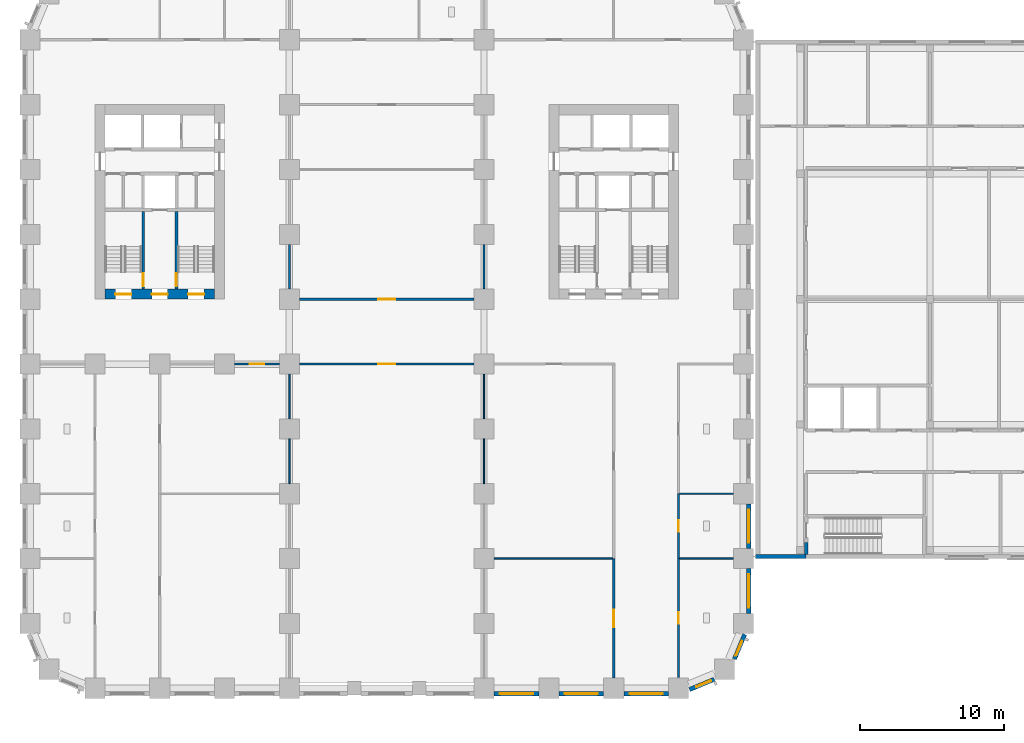
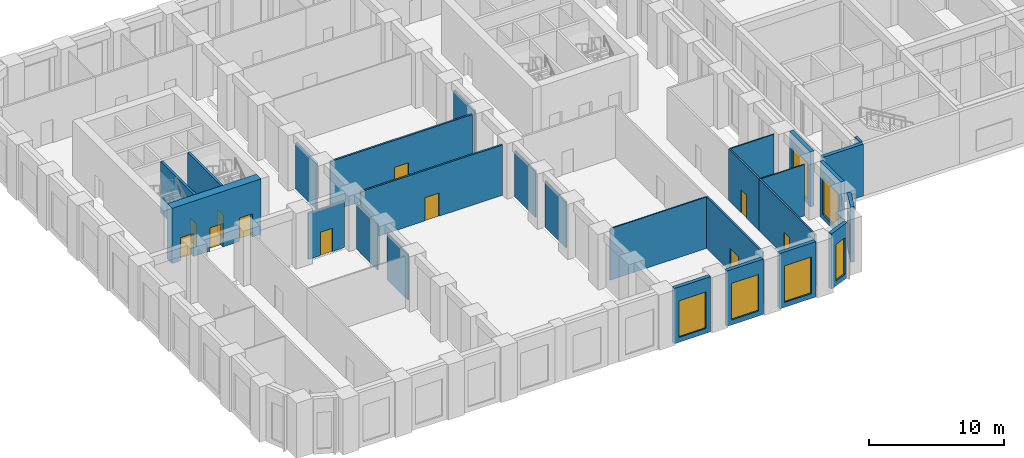
# One storey, part 4 of 19: 27 walls, 11 doors, 7 windows, 18 openings.
"""IFC4 building model written with IfcOpenShell, lengths in metres."""

from ifc_helpers import new_model, si_unit, direction, frame, frame_2d, origin, place, context, subcontext, project, spatial, rectangle, extrude, material, layer, layer_set, type_object, element, fill, save


model = new_model("IFC4")

# Units and contexts
model_context = context("Model", 3, precision=1e-05, world=origin(), true_north=direction((0.0, 1.0)))
body_context = subcontext(model_context, "Body", "Model", "MODEL_VIEW")
ifc_project = project(units=[si_unit("LENGTHUNIT", "METRE"), si_unit("AREAUNIT", "SQUARE_METRE"), si_unit("VOLUMEUNIT", "CUBIC_METRE"), si_unit("PLANEANGLEUNIT", "RADIAN"), si_unit("MASSUNIT", "GRAM", prefix="KILO")], contexts=[model_context])

# Site, building, storey
site_placement = place(None, origin())
site = spatial("IfcSite", under=ifc_project, at=site_placement, CompositionType="ELEMENT")
building_placement = place(site_placement, origin())
building = spatial("IfcBuilding", under=site, at=building_placement, Name="Girih Gate Residences", CompositionType="ELEMENT")
storey_placement = place(building_placement, frame((0.0, 0.0, 21.0)))
storey = spatial("IfcBuildingStorey", under=building, at=storey_placement, Name="L04", CompositionType="ELEMENT", Elevation=21.0)

# Wall, opening, door
ifc_material_1 = material(Name="Gypsum board on steel studs", Category="steel")
ifc_layer_1 = layer(ifc_material_1, 0.14990234375)
ifc_layer_set_1 = layer_set([ifc_layer_1], Name="Compartment wall 150 mm")
wall_type_1 = type_object("IfcWallType", Name="Compartment wall 150 mm", PredefinedType="PARTITIONING", material=ifc_layer_set_1)
wall_1_placement = place(storey_placement, frame((18.699951171875, 27.0, 0.0), z_axis=(0.0, 0.0, 1.0), x_axis=(1.0, 0.0, 0.0)))
wall_1 = element("IfcWall", 1, at=wall_1_placement, inside=storey, type_object=wall_type_1, Name="L04 partition", PredefinedType="PARTITIONING", context=body_context, shape_type="SweptSolid", body=[
    extrude(rectangle(XDim=12.10009765625, YDim=0.14990234375, at=frame_2d((6.050048828125, 0.0))), origin(), (0.0, 0.0, 1.0), 4.550048828125),
])
opening_1_placement = place(wall_1_placement, frame((5.449951171875, 0.0, 0.0)))
opening_1 = element("IfcOpeningElement", 2, at=opening_1_placement, cuts=wall_1, Name="Opening D-L04-S-001", PredefinedType="OPENING", context=body_context, shape_type="SweptSolid", body=[
    extrude(rectangle(XDim=1.199951171875, YDim=2.10009765625, at=frame_2d((0.60009765625, 1.050048828125))), frame((0.0, 0.0849609375, 0.0), z_axis=(0.0, -1.0, 0.0), x_axis=(1.0, 0.0, 0.0)), (0.0, 0.0, 1.0), 0.169921875),
])
ifc_material_2 = material(Name="Timber, fire-rated core", Category="wood")
door_type_1 = type_object("IfcDoorType", Name="Gallery fire door 1200x2100 FD30S", OperationType="SINGLE_SWING_LEFT", PredefinedType="DOOR", material=ifc_material_2)
door_1_placement = place(opening_1_placement, origin())
door_1 = element("IfcDoor", 3, at=door_1_placement, inside=storey, type_object=door_type_1, Name="Door L04-001", OperationType="SINGLE_SWING_RIGHT", OverallHeight=2.10009765625, OverallWidth=1.199951171875, PredefinedType="DOOR", context=body_context, shape_type="SweptSolid", body=[
    extrude(rectangle(XDim=1.199951171875, YDim=2.10009765625, at=frame_2d((0.60009765625, 1.050048828125))), frame((0.0, 0.02490234375, 0.0), z_axis=(0.0, -1.0, 0.0), x_axis=(1.0, 0.0, 0.0)), (0.0, 0.0, 1.0), 0.050048828125),
])
fill(opening_1, door_1)

wall_2_placement = place(storey_placement, frame((30.800048828125, 22.5, 0.0), z_axis=(0.0, 0.0, 1.0), x_axis=(-1.0, 0.0, 0.0)))
wall_2 = element("IfcWall", 4, at=wall_2_placement, inside=storey, type_object=wall_type_1, Name="L04 partition", PredefinedType="PARTITIONING", context=body_context, shape_type="SweptSolid", body=[
    extrude(rectangle(XDim=12.10009765625, YDim=0.14990234375, at=frame_2d((6.050048828125, 0.0))), origin(), (0.0, 0.0, 1.0), 4.550048828125),
])
opening_2_placement = place(wall_2_placement, frame((5.449951171875, 0.0, 0.0)))
opening_2 = element("IfcOpeningElement", 5, at=opening_2_placement, cuts=wall_2, Name="Opening D-L04-S-002", PredefinedType="OPENING", context=body_context, shape_type="SweptSolid", body=[
    extrude(rectangle(XDim=1.199951171875, YDim=2.10009765625, at=frame_2d((0.60009765625, 1.050048828125))), frame((0.0, 0.0849609375, 0.0), z_axis=(0.0, -1.0, 0.0), x_axis=(1.0, 0.0, 0.0)), (0.0, 0.0, 1.0), 0.169921875),
])
door_2_placement = place(opening_2_placement, origin())
door_2 = element("IfcDoor", 6, at=door_2_placement, inside=storey, type_object=door_type_1, Name="Door L04-002", OperationType="SINGLE_SWING_RIGHT", OverallHeight=2.10009765625, OverallWidth=1.199951171875, PredefinedType="DOOR", context=body_context, shape_type="SweptSolid", body=[
    extrude(rectangle(XDim=1.199951171875, YDim=2.10009765625, at=frame_2d((0.60009765625, 1.050048828125))), frame((0.0, 0.02490234375, 0.0), z_axis=(0.0, -1.0, 0.0), x_axis=(1.0, 0.0, 0.0)), (0.0, 0.0, 1.0), 0.050048828125),
])
fill(opening_2, door_2)

# Walls
for number, where, z_axis, x_axis, name in (
    (7, (31.5, 27.699951171875, 0.0), (0.0, 0.0, 1.0), (0.0, 1.0, 0.0), "L04 partition"),
    (8, (18.0, 27.699951171875, 0.0), (0.0, 0.0, 1.0), (0.0, 1.0, 0.0), "L04 partition"),
):
    element("IfcWall", number, at=place(storey_placement, frame(where, z_axis=z_axis, x_axis=x_axis)), inside=storey, type_object=wall_type_1, Name=name, PredefinedType="PARTITIONING", context=body_context, shape_type="SweptSolid", body=[
        extrude(rectangle(XDim=3.10009765625, YDim=0.14990234375, at=frame_2d((1.550048828125, 0.0))), origin(), (0.0, 0.0, 1.0), 4.179931640625),
    ])

# Wall, opening, door
wall_3_placement = place(storey_placement, frame((40.5, 0.699951171875, 0.0), z_axis=(0.0, 0.0, 1.0), x_axis=(0.0, 1.0, 0.0)))
wall_3 = element("IfcWall", 9, at=wall_3_placement, inside=storey, type_object=wall_type_1, Name="L04 partition", PredefinedType="PARTITIONING", context=body_context, shape_type="SweptSolid", body=[
    extrude(rectangle(XDim=8.300048828125, YDim=0.14990234375, at=frame_2d((4.14990234375, 0.0))), origin(), (0.0, 0.0, 1.0), 4.64990234375),
])
opening_3_placement = place(wall_3_placement, frame((3.550048828125, 0.0, 0.0)))
opening_3 = element("IfcOpeningElement", 10, at=opening_3_placement, cuts=wall_3, Name="Opening D-L04-S-009", PredefinedType="OPENING", context=body_context, shape_type="SweptSolid", body=[
    extrude(rectangle(XDim=1.199951171875, YDim=2.10009765625, at=frame_2d((0.60009765625, 1.050048828125))), frame((0.0, 0.0849609375, 0.0), z_axis=(0.0, -1.0, 0.0), x_axis=(1.0, 0.0, 0.0)), (0.0, 0.0, 1.0), 0.169921875),
])
door_3_placement = place(opening_3_placement, origin())
door_3 = element("IfcDoor", 11, at=door_3_placement, inside=storey, type_object=door_type_1, Name="Door L04-009", OperationType="SINGLE_SWING_RIGHT", OverallHeight=2.10009765625, OverallWidth=1.199951171875, PredefinedType="DOOR", context=body_context, shape_type="SweptSolid", body=[
    extrude(rectangle(XDim=1.199951171875, YDim=2.10009765625, at=frame_2d((0.60009765625, 1.050048828125))), frame((0.0, 0.02490234375, 0.0), z_axis=(0.0, -1.0, 0.0), x_axis=(1.0, 0.0, 0.0)), (0.0, 0.0, 1.0), 0.050048828125),
])
fill(opening_3, door_3)

wall_4_placement = place(storey_placement, frame((45.0, 9.0, 0.0), z_axis=(0.0, 0.0, 1.0), x_axis=(0.0, -1.0, 0.0)))
wall_4 = element("IfcWall", 12, at=wall_4_placement, inside=storey, type_object=wall_type_1, Name="L04 partition", PredefinedType="PARTITIONING", context=body_context, shape_type="SweptSolid", body=[
    extrude(rectangle(XDim=8.242431640625, YDim=0.14990234375, at=frame_2d((4.12109375, 0.0))), origin(), (0.0, 0.0, 1.0), 4.64990234375),
])
opening_4_placement = place(wall_4_placement, frame((3.72119140625, 0.0, 0.0)))
opening_4 = element("IfcOpeningElement", 13, at=opening_4_placement, cuts=wall_4, Name="Opening D-L04-S-011", PredefinedType="OPENING", context=body_context, shape_type="SweptSolid", body=[
    extrude(rectangle(XDim=0.800048828125, YDim=2.10009765625, at=frame_2d((0.39990234375, 1.050048828125))), frame((0.0, 0.0849609375, 0.0), z_axis=(0.0, -1.0, 0.0), x_axis=(1.0, 0.0, 0.0)), (0.0, 0.0, 1.0), 0.169921875),
])
ifc_material_3 = material(Name="Timber", Category="wood")
door_type_2 = type_object("IfcDoorType", Name="WC and store door 800x2100", OperationType="SINGLE_SWING_LEFT", PredefinedType="DOOR", material=ifc_material_3)
door_4_placement = place(opening_4_placement, origin())
door_4 = element("IfcDoor", 14, at=door_4_placement, inside=storey, type_object=door_type_2, Name="Door L04-011", OperationType="SINGLE_SWING_RIGHT", OverallHeight=2.10009765625, OverallWidth=0.800048828125, PredefinedType="DOOR", context=body_context, shape_type="SweptSolid", body=[
    extrude(rectangle(XDim=0.800048828125, YDim=2.10009765625, at=frame_2d((0.39990234375, 1.050048828125))), frame((0.0, 0.02490234375, 0.0), z_axis=(0.0, -1.0, 0.0), x_axis=(1.0, 0.0, 0.0)), (0.0, 0.0, 1.0), 0.050048828125),
])
fill(opening_4, door_4)

wall_5_placement = place(storey_placement, frame((45.0, 13.5, 0.0), z_axis=(0.0, 0.0, 1.0), x_axis=(0.0, -1.0, 0.0)))
wall_5 = element("IfcWall", 15, at=wall_5_placement, inside=storey, type_object=wall_type_1, Name="L04 partition", PredefinedType="PARTITIONING", context=body_context, shape_type="SweptSolid", body=[
    extrude(rectangle(XDim=4.5, YDim=0.14990234375, at=frame_2d((2.25, 0.0))), origin(), (0.0, 0.0, 1.0), 4.64990234375),
])
opening_5_placement = place(wall_5_placement, frame((1.85009765625, 0.0, 0.0)))
opening_5 = element("IfcOpeningElement", 16, at=opening_5_placement, cuts=wall_5, Name="Opening D-L04-S-012", PredefinedType="OPENING", context=body_context, shape_type="SweptSolid", body=[
    extrude(rectangle(XDim=0.800048828125, YDim=2.10009765625, at=frame_2d((0.39990234375, 1.050048828125))), frame((0.0, 0.0849609375, 0.0), z_axis=(0.0, -1.0, 0.0), x_axis=(1.0, 0.0, 0.0)), (0.0, 0.0, 1.0), 0.169921875),
])
door_5_placement = place(opening_5_placement, origin())
door_5 = element("IfcDoor", 17, at=door_5_placement, inside=storey, type_object=door_type_2, Name="Door L04-012", OperationType="SINGLE_SWING_RIGHT", OverallHeight=2.10009765625, OverallWidth=0.800048828125, PredefinedType="DOOR", context=body_context, shape_type="SweptSolid", body=[
    extrude(rectangle(XDim=0.800048828125, YDim=2.10009765625, at=frame_2d((0.39990234375, 1.050048828125))), frame((0.0, 0.02490234375, 0.0), z_axis=(0.0, -1.0, 0.0), x_axis=(1.0, 0.0, 0.0)), (0.0, 0.0, 1.0), 0.050048828125),
])
fill(opening_5, door_5)

wall_6_placement = place(storey_placement, frame((17.300048828125, 22.5, 0.0), z_axis=(0.0, 0.0, 1.0), x_axis=(-1.0, 0.0, 0.0)))
wall_6 = element("IfcWall", 18, at=wall_6_placement, inside=storey, type_object=wall_type_1, Name="L04 partition", PredefinedType="PARTITIONING", context=body_context, shape_type="SweptSolid", body=[
    extrude(rectangle(XDim=3.10009765625, YDim=0.14990234375, at=frame_2d((1.550048828125, 0.0))), origin(), (0.0, 0.0, 1.0), 4.179931640625),
])
opening_6_placement = place(wall_6_placement, frame((1.050048828125, 0.0, 0.0)))
opening_6 = element("IfcOpeningElement", 19, at=opening_6_placement, cuts=wall_6, Name="Opening D-L04-S-014", PredefinedType="OPENING", context=body_context, shape_type="SweptSolid", body=[
    extrude(rectangle(XDim=1.0, YDim=2.10009765625, at=frame_2d((0.5, 1.050048828125))), frame((0.0, 0.0849609375, 0.0), z_axis=(0.0, -1.0, 0.0), x_axis=(1.0, 0.0, 0.0)), (0.0, 0.0, 1.0), 0.169921875),
])
door_type_3 = type_object("IfcDoorType", Name="Amenity door 1000x2100 FD30S", OperationType="SINGLE_SWING_LEFT", PredefinedType="DOOR", material=ifc_material_2)
door_6_placement = place(opening_6_placement, origin())
door_6 = element("IfcDoor", 20, at=door_6_placement, inside=storey, type_object=door_type_3, Name="Door L04-014", OperationType="SINGLE_SWING_RIGHT", OverallHeight=2.10009765625, OverallWidth=1.0, PredefinedType="DOOR", context=body_context, shape_type="SweptSolid", body=[
    extrude(rectangle(XDim=1.0, YDim=2.10009765625, at=frame_2d((0.5, 1.050048828125))), frame((0.0, 0.02490234375, 0.0), z_axis=(0.0, -1.0, 0.0), x_axis=(1.0, 0.0, 0.0)), (0.0, 0.0, 1.0), 0.050048828125),
])
fill(opening_6, door_6)

# Wall, openings, doors
ifc_material_4 = material(Name="Concrete C60/75", Category="concrete")
ifc_layer_2 = layer(ifc_material_4, 0.699951171875)
ifc_layer_set_2 = layer_set([ifc_layer_2], Name="Core wall RC 700 Concrete C60/75")
wall_type_2 = type_object("IfcWallType", Name="Core wall RC 700 Concrete C60/75", PredefinedType="SOLIDWALL", material=ifc_layer_set_2)
wall_7_placement = place(storey_placement, frame((5.199951171875, 27.35009765625, 0.0), z_axis=(0.0, 0.0, 1.0), x_axis=(1.0, 0.0, 0.0)))
wall_7 = element("IfcWall", 21, at=wall_7_placement, inside=storey, type_object=wall_type_2, Name="Core wall W-S L04", PredefinedType="SOLIDWALL", context=body_context, shape_type="SweptSolid", body=[
    extrude(rectangle(XDim=7.60009765625, YDim=0.699951171875, at=frame_2d((3.800048828125, 0.0))), origin(), (0.0, 0.0, 1.0), 5.0),
])
opening_7_placement = place(wall_7_placement, frame((0.72509765625, 0.0, 0.0)))
opening_7 = element("IfcOpeningElement", 22, at=opening_7_placement, cuts=wall_7, Name="Opening D-L04-W-010", PredefinedType="OPENING", context=body_context, shape_type="SweptSolid", body=[
    extrude(rectangle(XDim=1.10009765625, YDim=2.10009765625, at=frame_2d((0.550048828125, 1.050048828125))), frame((0.0, 0.35986328125, 0.0), z_axis=(0.0, -1.0, 0.0), x_axis=(1.0, 0.0, 0.0)), (0.0, 0.0, 1.0), 0.719970703125),
])
opening_8_placement = place(wall_7_placement, frame((3.25, 0.0, 0.0)))
opening_8 = element("IfcOpeningElement", 23, at=opening_8_placement, cuts=wall_7, Name="Opening D-L04-W-011", PredefinedType="OPENING", context=body_context, shape_type="SweptSolid", body=[
    extrude(rectangle(XDim=1.10009765625, YDim=2.10009765625, at=frame_2d((0.550048828125, 1.050048828125))), frame((0.0, 0.35986328125, 0.0), z_axis=(0.0, -1.0, 0.0), x_axis=(1.0, 0.0, 0.0)), (0.0, 0.0, 1.0), 0.719970703125),
])
opening_9_placement = place(wall_7_placement, frame((5.77490234375, 0.0, 0.0)))
opening_9 = element("IfcOpeningElement", 24, at=opening_9_placement, cuts=wall_7, Name="Opening D-L04-W-012", PredefinedType="OPENING", context=body_context, shape_type="SweptSolid", body=[
    extrude(rectangle(XDim=1.10009765625, YDim=2.10009765625, at=frame_2d((0.550048828125, 1.050048828125))), frame((0.0, 0.35986328125, 0.0), z_axis=(0.0, -1.0, 0.0), x_axis=(1.0, 0.0, 0.0)), (0.0, 0.0, 1.0), 0.719970703125),
])
ifc_material_5 = material(Name="Painted steel, fire-resisting", Category="steel")
door_type_4 = type_object("IfcDoorType", Name="Fire door 1100x2100", OperationType="SINGLE_SWING_LEFT", PredefinedType="DOOR", material=ifc_material_5)
door_7_placement = place(opening_7_placement, origin())
door_7 = element("IfcDoor", 25, at=door_7_placement, inside=storey, type_object=door_type_4, Name="L04 W core door sta-out", OperationType="SINGLE_SWING_LEFT", OverallHeight=2.10009765625, OverallWidth=1.10009765625, PredefinedType="DOOR", context=body_context, shape_type="SweptSolid", body=[
    extrude(rectangle(XDim=1.10009765625, YDim=2.10009765625, at=frame_2d((0.550048828125, 1.050048828125))), frame((0.0, 0.02490234375, 0.0), z_axis=(0.0, -1.0, 0.0), x_axis=(1.0, 0.0, 0.0)), (0.0, 0.0, 1.0), 0.050048828125),
])
fill(opening_7, door_7)
door_8_placement = place(opening_8_placement, origin())
door_8 = element("IfcDoor", 26, at=door_8_placement, inside=storey, type_object=door_type_4, Name="L04 W core door ffl-out", OperationType="SINGLE_SWING_LEFT", OverallHeight=2.10009765625, OverallWidth=1.10009765625, PredefinedType="DOOR", context=body_context, shape_type="SweptSolid", body=[
    extrude(rectangle(XDim=1.10009765625, YDim=2.10009765625, at=frame_2d((0.550048828125, 1.050048828125))), frame((0.0, 0.02490234375, 0.0), z_axis=(0.0, -1.0, 0.0), x_axis=(1.0, 0.0, 0.0)), (0.0, 0.0, 1.0), 0.050048828125),
])
fill(opening_8, door_8)
door_9_placement = place(opening_9_placement, origin())
door_9 = element("IfcDoor", 27, at=door_9_placement, inside=storey, type_object=door_type_4, Name="L04 W core door stb-out", OperationType="SINGLE_SWING_LEFT", OverallHeight=2.10009765625, OverallWidth=1.10009765625, PredefinedType="DOOR", context=body_context, shape_type="SweptSolid", body=[
    extrude(rectangle(XDim=1.10009765625, YDim=2.10009765625, at=frame_2d((0.550048828125, 1.050048828125))), frame((0.0, 0.02490234375, 0.0), z_axis=(0.0, -1.0, 0.0), x_axis=(1.0, 0.0, 0.0)), (0.0, 0.0, 1.0), 0.050048828125),
])
fill(opening_9, door_9)

# Walls
ifc_material_6 = material(Name="Precast concrete C40/50", Category="concrete")
ifc_layer_3 = layer(ifc_material_6, 0.300048828125)
ifc_layer_set_3 = layer_set([ifc_layer_3], Name="HC Facade wall 300")
wall_type_3 = type_object("IfcWallType", Name="HC Facade wall 300", PredefinedType="SOLIDWALL", material=ifc_layer_set_3)
wall_8_placement = place(storey_placement, frame((53.85009765625, 9.14990234375, 0.0), z_axis=(0.0, 0.0, 1.0), x_axis=(-1.0, 0.0, 0.0)))
element("IfcWall", 28, at=wall_8_placement, inside=storey, type_object=wall_type_3, Name="L04 south facade wall", PredefinedType="SOLIDWALL", context=body_context, shape_type="SweptSolid", body=[
    extrude(rectangle(XDim=3.5, YDim=0.300048828125, at=frame_2d((1.75, 0.0))), origin(), (0.0, 0.0, 1.0), 4.699951171875),
])
ifc_material_7 = material(Name="Concrete C40/50", Category="concrete")
ifc_layer_4 = layer(ifc_material_7, 0.25)
ifc_layer_set_4 = layer_set([ifc_layer_4], Name="HC Shaft wall 250 C40/50")
wall_type_4 = type_object("IfcWallType", Name="HC Shaft wall 250 C40/50", PredefinedType="SHEAR", material=ifc_layer_set_4)
wall_9_placement = place(storey_placement, frame((53.85009765625, 9.300048828125, 0.0), z_axis=(0.0, 0.0, 1.0), x_axis=(0.0, 1.0, 0.0)))
element("IfcWall", 29, at=wall_9_placement, inside=storey, type_object=wall_type_4, Name="L04 wall y53.85/9.3", PredefinedType="SHEAR", context=body_context, shape_type="SweptSolid", body=[
    extrude(rectangle(XDim=0.800048828125, YDim=0.25, at=frame_2d((0.39990234375, 0.0))), origin(), (0.0, 0.0, 1.0), 4.699951171875),
])
ifc_layer_5 = layer(ifc_material_1, 0.10009765625)
ifc_layer_set_5 = layer_set([ifc_layer_5], Name="Partition 100 mm")
wall_type_5 = type_object("IfcWallType", Name="Partition 100 mm", PredefinedType="PARTITIONING", material=ifc_layer_set_5)
for number, where, z_axis, x_axis, name in (
    (30, (31.5, 18.699951171875, 0.0), (0.0, 0.0, 1.0), (0.0, 1.0, 0.0), "L04 partition"),
    (31, (31.5, 14.199951171875, 0.0), (0.0, 0.0, 1.0), (0.0, 1.0, 0.0), "L04 partition"),
    (32, (18.0, 14.199951171875, 0.0), (0.0, 0.0, 1.0), (0.0, 1.0, 0.0), "L04 partition"),
    (33, (18.0, 18.699951171875, 0.0), (0.0, 0.0, 1.0), (0.0, 1.0, 0.0), "L04 partition"),
):
    element("IfcWall", number, at=place(storey_placement, frame(where, z_axis=z_axis, x_axis=x_axis)), inside=storey, type_object=wall_type_5, Name=name, PredefinedType="PARTITIONING", context=body_context, shape_type="SweptSolid", body=[
        extrude(rectangle(XDim=3.10009765625, YDim=0.10009765625, at=frame_2d((1.550048828125, 0.0))), origin(), (0.0, 0.0, 1.0), 4.179931640625),
    ])
wall_10_placement = place(storey_placement, frame((32.199951171875, 9.0, 0.0), z_axis=(0.0, 0.0, 1.0), x_axis=(1.0, 0.0, 0.0)))
element("IfcWall", 34, at=wall_10_placement, inside=storey, type_object=wall_type_5, Name="L04 partition", PredefinedType="PARTITIONING", context=body_context, shape_type="SweptSolid", body=[
    extrude(rectangle(XDim=8.22509765625, YDim=0.10009765625, at=frame_2d((4.112548828125, 0.0))), origin(), (0.0, 0.0, 1.0), 4.64990234375),
])
for number, where, z_axis, x_axis, name in (
    (35, (45.074951171875, 9.0, 0.0), (0.0, 0.0, 1.0), (1.0, 0.0, 0.0), "L04 partition"),
    (36, (45.074951171875, 13.5, 0.0), (0.0, 0.0, 1.0), (1.0, 0.0, 0.0), "L04 partition"),
):
    element("IfcWall", number, at=place(storey_placement, frame(where, z_axis=z_axis, x_axis=x_axis)), inside=storey, type_object=wall_type_5, Name=name, PredefinedType="PARTITIONING", context=body_context, shape_type="SweptSolid", body=[
        extrude(rectangle(XDim=3.72509765625, YDim=0.10009765625, at=frame_2d((1.862548828125, 0.0))), origin(), (0.0, 0.0, 1.0), 4.64990234375),
    ])

# Wall, opening, window
ifc_material_8 = material(Name="Precast concrete C50/60", Category="concrete")
ifc_layer_6 = layer(ifc_material_8, 0.080078125, Name="Outer leaf")
ifc_material_9 = material(Name="Rigid PIR insulation")
ifc_layer_7 = layer(ifc_material_9, 0.14990234375, Name="Insulation")
ifc_layer_8 = layer(ifc_material_6, 0.070068359375, Name="Inner leaf")
ifc_layer_set_6 = layer_set([ifc_layer_6, ifc_layer_7, ifc_layer_8], Name="Precast concrete C50/60 external wall 300")
wall_type_6 = type_object("IfcWallType", Name="Precast concrete C50/60 external wall 300", PredefinedType="SOLIDWALL", material=ifc_layer_set_6)
wall_11_placement = place(storey_placement, frame((35.300048828125, -0.375, 0.0), z_axis=(0.0, 0.0, 1.0), x_axis=(-1.0, 0.0, 0.0)))
wall_11 = element("IfcWall", 37, at=wall_11_placement, inside=storey, type_object=wall_type_6, Name="External wall S0045_0000.6", PredefinedType="SOLIDWALL", context=body_context, shape_type="SweptSolid", body=[
    extrude(rectangle(XDim=3.10009765625, YDim=0.300048828125, at=frame_2d((1.550048828125, 0.0))), origin(), (0.0, 0.0, 1.0), 5.0),
])
opening_10_placement = place(wall_11_placement, frame((0.39990234375, 0.0, 0.449951171875)))
opening_10 = element("IfcOpeningElement", 38, at=opening_10_placement, cuts=wall_11, Name="Opening W-3", PredefinedType="OPENING", context=body_context, shape_type="SweptSolid", body=[
    extrude(rectangle(XDim=2.300048828125, YDim=3.300048828125, at=frame_2d((1.14990234375, 1.64990234375))), frame((0.0, 0.159912109375, 0.0), z_axis=(0.0, -1.0, 0.0), x_axis=(1.0, 0.0, 0.0)), (0.0, 0.0, 1.0), 0.320068359375),
])
ifc_material_10 = material(Name="Double glazing in aluminium frame", Category="aluminium")
window_type_1 = type_object("IfcWindowType", Name="Window W-3 2300x3300", PartitioningType="SINGLE_PANEL", PredefinedType="WINDOW", material=ifc_material_10)
window_1_placement = place(opening_10_placement, origin())
window_1 = element("IfcWindow", 39, at=window_1_placement, inside=storey, type_object=window_type_1, Name="Window W-3 S0045_0000.6", OverallHeight=3.300048828125, OverallWidth=2.300048828125, PartitioningType="SINGLE_PANEL", PredefinedType="WINDOW", context=body_context, shape_type="SweptSolid", body=[
    extrude(rectangle(XDim=2.300048828125, YDim=3.300048828125, at=frame_2d((1.14990234375, 1.64990234375))), frame((0.0, 0.030029296875, 0.0), z_axis=(0.0, -1.0, 0.0), x_axis=(1.0, 0.0, 0.0)), (0.0, 0.0, 1.0), 0.06005859375),
])
fill(opening_10, window_1)

wall_12_placement = place(storey_placement, frame((39.800048828125, -0.375, 0.0), z_axis=(0.0, 0.0, 1.0), x_axis=(-1.0, 0.0, 0.0)))
wall_12 = element("IfcWall", 40, at=wall_12_placement, inside=storey, type_object=wall_type_6, Name="External wall S0045_0000.7", PredefinedType="SOLIDWALL", context=body_context, shape_type="SweptSolid", body=[
    extrude(rectangle(XDim=3.10009765625, YDim=0.300048828125, at=frame_2d((1.550048828125, 0.0))), origin(), (0.0, 0.0, 1.0), 5.0),
])
opening_11_placement = place(wall_12_placement, frame((0.39990234375, 0.0, 0.449951171875)))
opening_11 = element("IfcOpeningElement", 41, at=opening_11_placement, cuts=wall_12, Name="Opening W-3", PredefinedType="OPENING", context=body_context, shape_type="SweptSolid", body=[
    extrude(rectangle(XDim=2.300048828125, YDim=3.300048828125, at=frame_2d((1.14990234375, 1.64990234375))), frame((0.0, 0.159912109375, 0.0), z_axis=(0.0, -1.0, 0.0), x_axis=(1.0, 0.0, 0.0)), (0.0, 0.0, 1.0), 0.320068359375),
])
window_2_placement = place(opening_11_placement, origin())
window_2 = element("IfcWindow", 42, at=window_2_placement, inside=storey, type_object=window_type_1, Name="Window W-3 S0045_0000.7", OverallHeight=3.300048828125, OverallWidth=2.300048828125, PartitioningType="SINGLE_PANEL", PredefinedType="WINDOW", context=body_context, shape_type="SweptSolid", body=[
    extrude(rectangle(XDim=2.300048828125, YDim=3.300048828125, at=frame_2d((1.14990234375, 1.64990234375))), frame((0.0, 0.030029296875, 0.0), z_axis=(0.0, -1.0, 0.0), x_axis=(1.0, 0.0, 0.0)), (0.0, 0.0, 1.0), 0.06005859375),
])
fill(opening_11, window_2)

wall_13_placement = place(storey_placement, frame((44.300048828125, -0.375, 0.0), z_axis=(0.0, 0.0, 1.0), x_axis=(-1.0, 0.0, 0.0)))
wall_13 = element("IfcWall", 43, at=wall_13_placement, inside=storey, type_object=wall_type_6, Name="External wall S0045_0000.8", PredefinedType="SOLIDWALL", context=body_context, shape_type="SweptSolid", body=[
    extrude(rectangle(XDim=3.10009765625, YDim=0.300048828125, at=frame_2d((1.550048828125, 0.0))), origin(), (0.0, 0.0, 1.0), 5.0),
])
opening_12_placement = place(wall_13_placement, frame((0.39990234375, 0.0, 0.449951171875)))
opening_12 = element("IfcOpeningElement", 44, at=opening_12_placement, cuts=wall_13, Name="Opening W-3", PredefinedType="OPENING", context=body_context, shape_type="SweptSolid", body=[
    extrude(rectangle(XDim=2.300048828125, YDim=3.300048828125, at=frame_2d((1.14990234375, 1.64990234375))), frame((0.0, 0.159912109375, 0.0), z_axis=(0.0, -1.0, 0.0), x_axis=(1.0, 0.0, 0.0)), (0.0, 0.0, 1.0), 0.320068359375),
])
window_3_placement = place(opening_12_placement, origin())
window_3 = element("IfcWindow", 45, at=window_3_placement, inside=storey, type_object=window_type_1, Name="Window W-3 S0045_0000.8", OverallHeight=3.300048828125, OverallWidth=2.300048828125, PartitioningType="SINGLE_PANEL", PredefinedType="WINDOW", context=body_context, shape_type="SweptSolid", body=[
    extrude(rectangle(XDim=2.300048828125, YDim=3.300048828125, at=frame_2d((1.14990234375, 1.64990234375))), frame((0.0, 0.030029296875, 0.0), z_axis=(0.0, -1.0, 0.0), x_axis=(1.0, 0.0, 0.0)), (0.0, 0.0, 1.0), 0.06005859375),
])
fill(opening_12, window_3)

wall_14_placement = place(storey_placement, frame((47.48046875, 0.62158203125, 0.0), z_axis=(0.0, 0.0, 1.0), x_axis=(-0.923903565336, -0.38262540684, 0.0)))
wall_14 = element("IfcWall", 46, at=wall_14_placement, inside=storey, type_object=wall_type_6, Name="External wall SE0450_0000.0", PredefinedType="SOLIDWALL", context=body_context, shape_type="SweptSolid", body=[
    extrude(rectangle(XDim=1.864990234375, YDim=0.300048828125, at=frame_2d((0.9326171875, 0.0))), origin(), (0.0, 0.0, 1.0), 5.0),
])
opening_13_placement = place(wall_14_placement, frame((0.257568359375, 0.0, 0.449951171875)))
opening_13 = element("IfcOpeningElement", 47, at=opening_13_placement, cuts=wall_14, Name="Opening W-2A", PredefinedType="OPENING", context=body_context, shape_type="SweptSolid", body=[
    extrude(rectangle(XDim=1.10009765625, YDim=3.300048828125, at=frame_2d((0.550048828125, 1.64990234375))), frame((0.0, 0.159912109375, 0.0), z_axis=(0.0, -1.0, 0.0), x_axis=(1.0, 0.0, 0.0)), (0.0, 0.0, 1.0), 0.320068359375),
])
window_type_2 = type_object("IfcWindowType", Name="Window W-2A 1100x3300", PartitioningType="SINGLE_PANEL", PredefinedType="WINDOW", material=ifc_material_10)
window_4_placement = place(opening_13_placement, origin())
window_4 = element("IfcWindow", 48, at=window_4_placement, inside=storey, type_object=window_type_2, Name="Window W-2A SE0450_0000.0", OverallHeight=3.300048828125, OverallWidth=1.10009765625, PartitioningType="SINGLE_PANEL", PredefinedType="WINDOW", context=body_context, shape_type="SweptSolid", body=[
    extrude(rectangle(XDim=1.10009765625, YDim=3.300048828125, at=frame_2d((0.550048828125, 1.64990234375))), frame((0.0, 0.030029296875, 0.0), z_axis=(0.0, -1.0, 0.0), x_axis=(1.0, 0.0, 0.0)), (0.0, 0.0, 1.0), 0.06005859375),
])
fill(opening_13, window_4)

wall_15_placement = place(storey_placement, frame((49.59228515625, 3.74267578125, 0.0), z_axis=(0.0, 0.0, 1.0), x_axis=(-0.382737135771, -0.923857286003, 0.0)))
wall_15 = element("IfcWall", 49, at=wall_15_placement, inside=storey, type_object=wall_type_6, Name="External wall SE0482_0013.0", PredefinedType="SOLIDWALL", context=body_context, shape_type="SweptSolid", body=[
    extrude(rectangle(XDim=1.865234375, YDim=0.300048828125, at=frame_2d((0.9326171875, 0.0))), origin(), (0.0, 0.0, 1.0), 5.0),
])
opening_14_placement = place(wall_15_placement, frame((0.507568359375, 0.0, 0.449951171875)))
opening_14 = element("IfcOpeningElement", 50, at=opening_14_placement, cuts=wall_15, Name="Opening W-2A", PredefinedType="OPENING", context=body_context, shape_type="SweptSolid", body=[
    extrude(rectangle(XDim=1.10009765625, YDim=3.300048828125, at=frame_2d((0.550048828125, 1.64990234375))), frame((0.0, 0.159912109375, 0.0), z_axis=(0.0, -1.0, 0.0), x_axis=(1.0, 0.0, 0.0)), (0.0, 0.0, 1.0), 0.320068359375),
])
window_5_placement = place(opening_14_placement, origin())
window_5 = element("IfcWindow", 51, at=window_5_placement, inside=storey, type_object=window_type_2, Name="Window W-2A SE0482_0013.0", OverallHeight=3.300048828125, OverallWidth=1.10009765625, PartitioningType="SINGLE_PANEL", PredefinedType="WINDOW", context=body_context, shape_type="SweptSolid", body=[
    extrude(rectangle(XDim=1.10009765625, YDim=3.300048828125, at=frame_2d((0.550048828125, 1.64990234375))), frame((0.0, 0.030029296875, 0.0), z_axis=(0.0, -1.0, 0.0), x_axis=(1.0, 0.0, 0.0)), (0.0, 0.0, 1.0), 0.06005859375),
])
fill(opening_14, window_5)

wall_16_placement = place(storey_placement, frame((49.875, 8.300048828125, 0.0), z_axis=(0.0, 0.0, 1.0), x_axis=(0.0, -1.0, 0.0)))
wall_16 = element("IfcWall", 52, at=wall_16_placement, inside=storey, type_object=wall_type_6, Name="External wall E0495_0045.0", PredefinedType="SOLIDWALL", context=body_context, shape_type="SweptSolid", body=[
    extrude(rectangle(XDim=3.10009765625, YDim=0.300048828125, at=frame_2d((1.550048828125, 0.0))), origin(), (0.0, 0.0, 1.0), 5.0),
])
opening_15_placement = place(wall_16_placement, frame((0.39990234375, 0.0, 0.449951171875)))
opening_15 = element("IfcOpeningElement", 53, at=opening_15_placement, cuts=wall_16, Name="Opening W-3", PredefinedType="OPENING", context=body_context, shape_type="SweptSolid", body=[
    extrude(rectangle(XDim=2.300048828125, YDim=3.300048828125, at=frame_2d((1.14990234375, 1.64990234375))), frame((0.0, 0.159912109375, 0.0), z_axis=(0.0, -1.0, 0.0), x_axis=(1.0, 0.0, 0.0)), (0.0, 0.0, 1.0), 0.320068359375),
])
window_6_placement = place(opening_15_placement, origin())
window_6 = element("IfcWindow", 54, at=window_6_placement, inside=storey, type_object=window_type_1, Name="Window W-3 E0495_0045.0", OverallHeight=3.300048828125, OverallWidth=2.300048828125, PartitioningType="SINGLE_PANEL", PredefinedType="WINDOW", context=body_context, shape_type="SweptSolid", body=[
    extrude(rectangle(XDim=2.300048828125, YDim=3.300048828125, at=frame_2d((1.14990234375, 1.64990234375))), frame((0.0, 0.030029296875, 0.0), z_axis=(0.0, -1.0, 0.0), x_axis=(1.0, 0.0, 0.0)), (0.0, 0.0, 1.0), 0.06005859375),
])
fill(opening_15, window_6)

wall_17_placement = place(storey_placement, frame((49.875, 12.800048828125, 0.0), z_axis=(0.0, 0.0, 1.0), x_axis=(0.0, -1.0, 0.0)))
wall_17 = element("IfcWall", 55, at=wall_17_placement, inside=storey, type_object=wall_type_6, Name="External wall E0495_0045.1", PredefinedType="SOLIDWALL", context=body_context, shape_type="SweptSolid", body=[
    extrude(rectangle(XDim=3.10009765625, YDim=0.300048828125, at=frame_2d((1.550048828125, 0.0))), origin(), (0.0, 0.0, 1.0), 5.0),
])
opening_16_placement = place(wall_17_placement, frame((0.39990234375, 0.0, 0.449951171875)))
opening_16 = element("IfcOpeningElement", 56, at=opening_16_placement, cuts=wall_17, Name="Opening W-3", PredefinedType="OPENING", context=body_context, shape_type="SweptSolid", body=[
    extrude(rectangle(XDim=2.300048828125, YDim=3.300048828125, at=frame_2d((1.14990234375, 1.64990234375))), frame((0.0, 0.159912109375, 0.0), z_axis=(0.0, -1.0, 0.0), x_axis=(1.0, 0.0, 0.0)), (0.0, 0.0, 1.0), 0.320068359375),
])
window_7_placement = place(opening_16_placement, origin())
window_7 = element("IfcWindow", 57, at=window_7_placement, inside=storey, type_object=window_type_1, Name="Window W-3 E0495_0045.1", OverallHeight=3.300048828125, OverallWidth=2.300048828125, PartitioningType="SINGLE_PANEL", PredefinedType="WINDOW", context=body_context, shape_type="SweptSolid", body=[
    extrude(rectangle(XDim=2.300048828125, YDim=3.300048828125, at=frame_2d((1.14990234375, 1.64990234375))), frame((0.0, 0.030029296875, 0.0), z_axis=(0.0, -1.0, 0.0), x_axis=(1.0, 0.0, 0.0)), (0.0, 0.0, 1.0), 0.06005859375),
])
fill(opening_16, window_7)

# Wall, opening, door
ifc_layer_9 = layer(ifc_material_7, 0.199951171875)
ifc_layer_set_7 = layer_set([ifc_layer_9], Name="Shaft wall 200")
wall_type_7 = type_object("IfcWallType", Name="Shaft wall 200", PredefinedType="SOLIDWALL", material=ifc_layer_set_7)
wall_18_placement = place(storey_placement, frame((7.85009765625, 27.699951171875, 0.0), z_axis=(0.0, 0.0, 1.0), x_axis=(0.0, 1.0, 0.0)))
wall_18 = element("IfcWall", 58, at=wall_18_placement, inside=storey, type_object=wall_type_7, Name="L04 W core wall V1a", PredefinedType="SOLIDWALL", context=body_context, shape_type="SweptSolid", body=[
    extrude(rectangle(XDim=5.400146484375, YDim=0.199951171875, at=frame_2d((2.7001953125, 0.0))), origin(), (0.0, 0.0, 1.0), 4.64990234375),
])
opening_17_placement = place(wall_18_placement, frame((0.199951171875, 0.0, 0.0)))
opening_17 = element("IfcOpeningElement", 59, at=opening_17_placement, cuts=wall_18, Name="Opening D-L04-W-001", PredefinedType="OPENING", context=body_context, shape_type="SweptSolid", body=[
    extrude(rectangle(XDim=0.89990234375, YDim=2.10009765625, at=frame_2d((0.449951171875, 1.050048828125))), frame((0.0, 0.10986328125, 0.0), z_axis=(0.0, -1.0, 0.0), x_axis=(1.0, 0.0, 0.0)), (0.0, 0.0, 1.0), 0.219970703125),
])
door_type_5 = type_object("IfcDoorType", Name="Fire door 900x2100", OperationType="SINGLE_SWING_LEFT", PredefinedType="DOOR", material=ifc_material_5)
door_10_placement = place(opening_17_placement, origin())
door_10 = element("IfcDoor", 60, at=door_10_placement, inside=storey, type_object=door_type_5, Name="L04 W door stair 1 to firefighting lobby", OperationType="SINGLE_SWING_LEFT", OverallHeight=2.10009765625, OverallWidth=0.89990234375, PredefinedType="DOOR", context=body_context, shape_type="SweptSolid", body=[
    extrude(rectangle(XDim=0.89990234375, YDim=2.10009765625, at=frame_2d((0.449951171875, 1.050048828125))), frame((0.0, 0.02490234375, 0.0), z_axis=(0.0, -1.0, 0.0), x_axis=(1.0, 0.0, 0.0)), (0.0, 0.0, 1.0), 0.050048828125),
])
fill(opening_17, door_10)

wall_19_placement = place(storey_placement, frame((10.14990234375, 27.699951171875, 0.0), z_axis=(0.0, 0.0, 1.0), x_axis=(0.0, 1.0, 0.0)))
wall_19 = element("IfcWall", 61, at=wall_19_placement, inside=storey, type_object=wall_type_7, Name="L04 W core wall V2a", PredefinedType="SOLIDWALL", context=body_context, shape_type="SweptSolid", body=[
    extrude(rectangle(XDim=5.400146484375, YDim=0.199951171875, at=frame_2d((2.7001953125, 0.0))), origin(), (0.0, 0.0, 1.0), 4.64990234375),
])
opening_18_placement = place(wall_19_placement, frame((0.199951171875, 0.0, 0.0)))
opening_18 = element("IfcOpeningElement", 62, at=opening_18_placement, cuts=wall_19, Name="Opening D-L04-W-002", PredefinedType="OPENING", context=body_context, shape_type="SweptSolid", body=[
    extrude(rectangle(XDim=0.89990234375, YDim=2.10009765625, at=frame_2d((0.449951171875, 1.050048828125))), frame((0.0, 0.10986328125, 0.0), z_axis=(0.0, -1.0, 0.0), x_axis=(1.0, 0.0, 0.0)), (0.0, 0.0, 1.0), 0.219970703125),
])
door_11_placement = place(opening_18_placement, origin())
door_11 = element("IfcDoor", 63, at=door_11_placement, inside=storey, type_object=door_type_5, Name="L04 W door stair 2 to firefighting lobby", OperationType="SINGLE_SWING_LEFT", OverallHeight=2.10009765625, OverallWidth=0.89990234375, PredefinedType="DOOR", context=body_context, shape_type="SweptSolid", body=[
    extrude(rectangle(XDim=0.89990234375, YDim=2.10009765625, at=frame_2d((0.449951171875, 1.050048828125))), frame((0.0, 0.02490234375, 0.0), z_axis=(0.0, -1.0, 0.0), x_axis=(1.0, 0.0, 0.0)), (0.0, 0.0, 1.0), 0.050048828125),
])
fill(opening_18, door_11)

save(model, "model.ifc")
